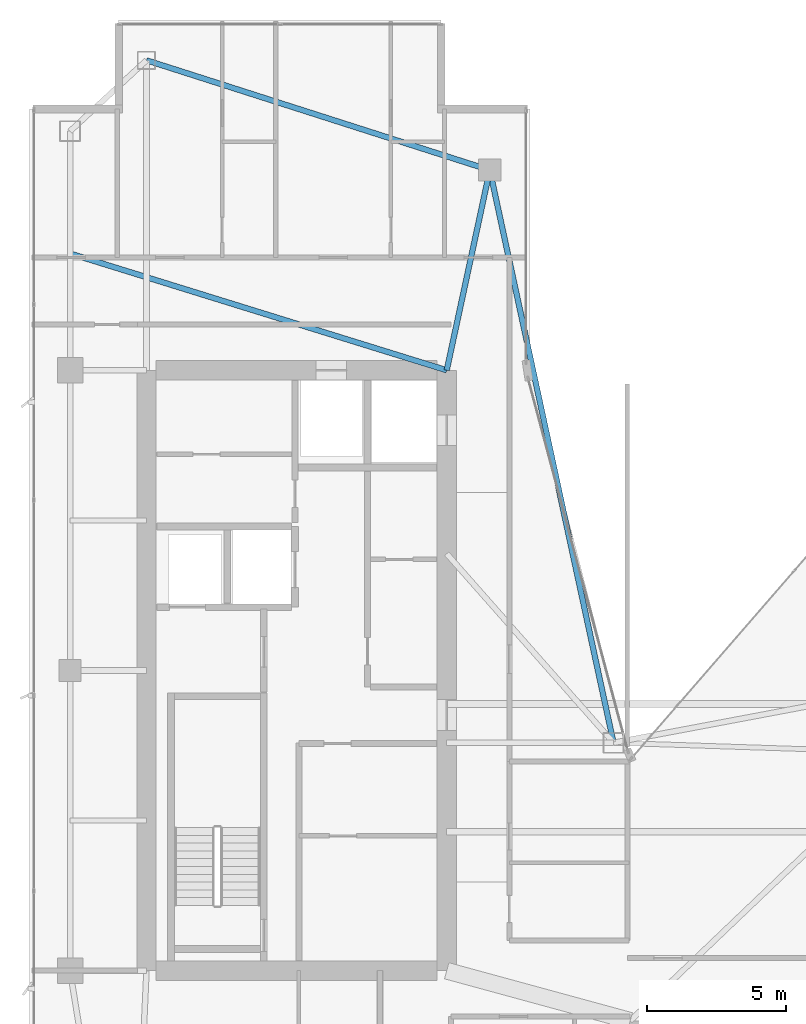
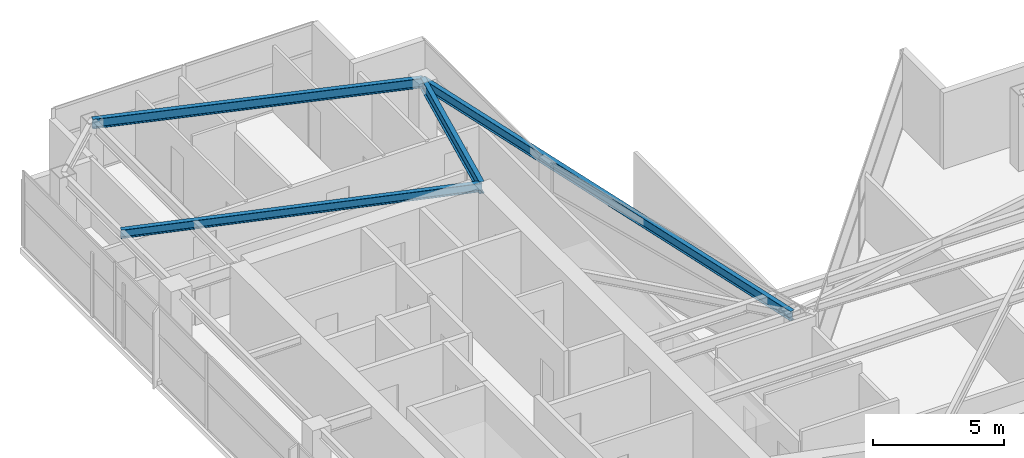
# One storey, part 18 of 29: 4 beams.
"""IFC4 building model written with IfcOpenShell, lengths in metres."""

from ifc_helpers import new_model, si_unit, direction, frame, origin, origin_2d, place, context, subcontext, project, spatial, i_section, extrude, material, material_profile, profile_set, type_object, element, save


model = new_model("IFC4")

# Units and contexts
model_context = context("Model", 3, precision=1e-05, world=origin(), true_north=direction((0.0, 1.0)))
body_context = subcontext(model_context, "Body", "Model", "MODEL_VIEW")
ifc_project = project(units=[si_unit("LENGTHUNIT", "METRE"), si_unit("AREAUNIT", "SQUARE_METRE"), si_unit("VOLUMEUNIT", "CUBIC_METRE"), si_unit("PLANEANGLEUNIT", "RADIAN"), si_unit("MASSUNIT", "GRAM", prefix="KILO")], contexts=[model_context])

# Site, building, storey
site_placement = place(None, origin())
site = spatial("IfcSite", under=ifc_project, at=site_placement, CompositionType="ELEMENT")
building_placement = place(site_placement, origin())
building = spatial("IfcBuilding", under=site, at=building_placement, Name="Calvorn Quay Hotel", CompositionType="ELEMENT")
storey_placement = place(building_placement, frame((0.0, 0.0, 251.39990234375)))
storey = spatial("IfcBuildingStorey", under=building, at=storey_placement, Name="L62", CompositionType="ELEMENT", Elevation=251.39990234375)

# Beams
ifc_material_1 = material(Name="Steel Q355B", Category="steel")
ifc_material_profile_1 = material_profile(ifc_material_1, i_section(OverallWidth=0.199951171875, OverallDepth=0.550048828125, WebThickness=0.010009765625, FlangeThickness=0.01611328125, FilletRadius=0.01806640625, at=origin_2d()), Name="HN550x200x10x16")
ifc_profile_set_1 = profile_set([ifc_material_profile_1], Name="Steel Q355B")
beam_type_1 = type_object("IfcBeamType", Name="BM-GIRD-UPP", PredefinedType="BEAM", material=ifc_profile_set_1)
beam_1_placement = place(storey_placement, frame((16.550048828125, 45.60009765625, 3.26513671875), z_axis=(-0.210457140491, -0.97760308511, 0.0), x_axis=(0.97760308511, -0.210457140491, 0.0)))
element("IfcBeam", 1, at=beam_1_placement, inside=storey, type_object=beam_type_1, Name="Beam BG-L62-W6", PredefinedType="BEAM", context=body_context, shape_type="SweptSolid", body=[
    extrude(i_section(OverallWidth=0.199951171875, OverallDepth=0.550048828125, WebThickness=0.010009765625, FlangeThickness=0.01611328125, FilletRadius=0.01806640625, at=origin_2d()), origin(), (0.0, 0.0, 1.0), 7.365234375),
])
ifc_material_2 = material(Name="Steel Q355B", Category="steel")
ifc_material_profile_2 = material_profile(ifc_material_2, i_section(OverallWidth=0.199951171875, OverallDepth=0.39990234375, WebThickness=0.008056640625, FlangeThickness=0.012939453125, FilletRadius=0.01611328125, at=origin_2d()), Name="HN400x200x8x13")
ifc_profile_set_2 = profile_set([ifc_material_profile_2], Name="Steel Q355B")
beam_type_2 = type_object("IfcBeamType", Name="BM-JOIST-TYP", PredefinedType="JOIST", material=ifc_profile_set_2)
beam_2_placement = place(storey_placement, frame((1.449951171875, 42.60009765625, 3.340087890625), z_axis=(0.955163702122, -0.296078202759, 0.0), x_axis=(0.296078202759, 0.955163702122, 0.0)))
element("IfcBeam", 2, at=beam_2_placement, inside=storey, type_object=beam_type_2, Name="Beam BJ-L62-W2", PredefinedType="JOIST", context=body_context, shape_type="SweptSolid", body=[
    extrude(i_section(OverallWidth=0.199951171875, OverallDepth=0.39990234375, WebThickness=0.008056640625, FlangeThickness=0.012939453125, FilletRadius=0.01611328125, at=origin_2d()), origin(), (0.0, 0.0, 1.0), 14.18603515625),
])
ifc_material_3 = material(Name="Steel Q355B", Category="steel")
ifc_material_profile_3 = material_profile(ifc_material_3, i_section(OverallWidth=0.199951171875, OverallDepth=0.449951171875, WebThickness=0.009033203125, FlangeThickness=0.013916015625, FilletRadius=0.01611328125, at=origin_2d()), Name="HN450x200x9x14")
ifc_profile_set_3 = profile_set([ifc_material_profile_3], Name="Steel Q355B")
beam_type_3 = type_object("IfcBeamType", Name="BM-SPANDREL-Z3", PredefinedType="SPANDREL", material=ifc_profile_set_3)
beam_3_placement = place(storey_placement, frame((4.199951171875, 49.550048828125, 3.315185546875), z_axis=(0.952470702374, -0.304630203885, 0.0), x_axis=(0.304630203885, 0.952470702374, 0.0)))
element("IfcBeam", 3, at=beam_3_placement, inside=storey, type_object=beam_type_3, Name="Beam BSP-L62-W6", PredefinedType="SPANDREL", context=body_context, shape_type="SweptSolid", body=[
    extrude(i_section(OverallWidth=0.199951171875, OverallDepth=0.449951171875, WebThickness=0.009033203125, FlangeThickness=0.013916015625, FilletRadius=0.01611328125, at=origin_2d()), origin(), (0.0, 0.0, 1.0), 12.96630859375),
])
beam_4_placement = place(storey_placement, frame((16.550048828125, 45.60009765625, 3.315185546875), z_axis=(0.211145848376, -0.977454567084, 0.0), x_axis=(0.977454567084, 0.211145848376, 0.0)))
element("IfcBeam", 4, at=beam_4_placement, inside=storey, type_object=beam_type_3, Name="Beam BSP-L62-W7", PredefinedType="SPANDREL", context=body_context, shape_type="SweptSolid", body=[
    extrude(i_section(OverallWidth=0.199951171875, OverallDepth=0.449951171875, WebThickness=0.009033203125, FlangeThickness=0.013916015625, FilletRadius=0.01611328125, at=origin_2d()), origin(), (0.0, 0.0, 1.0), 21.0751953125),
])

save(model, "model.ifc")
